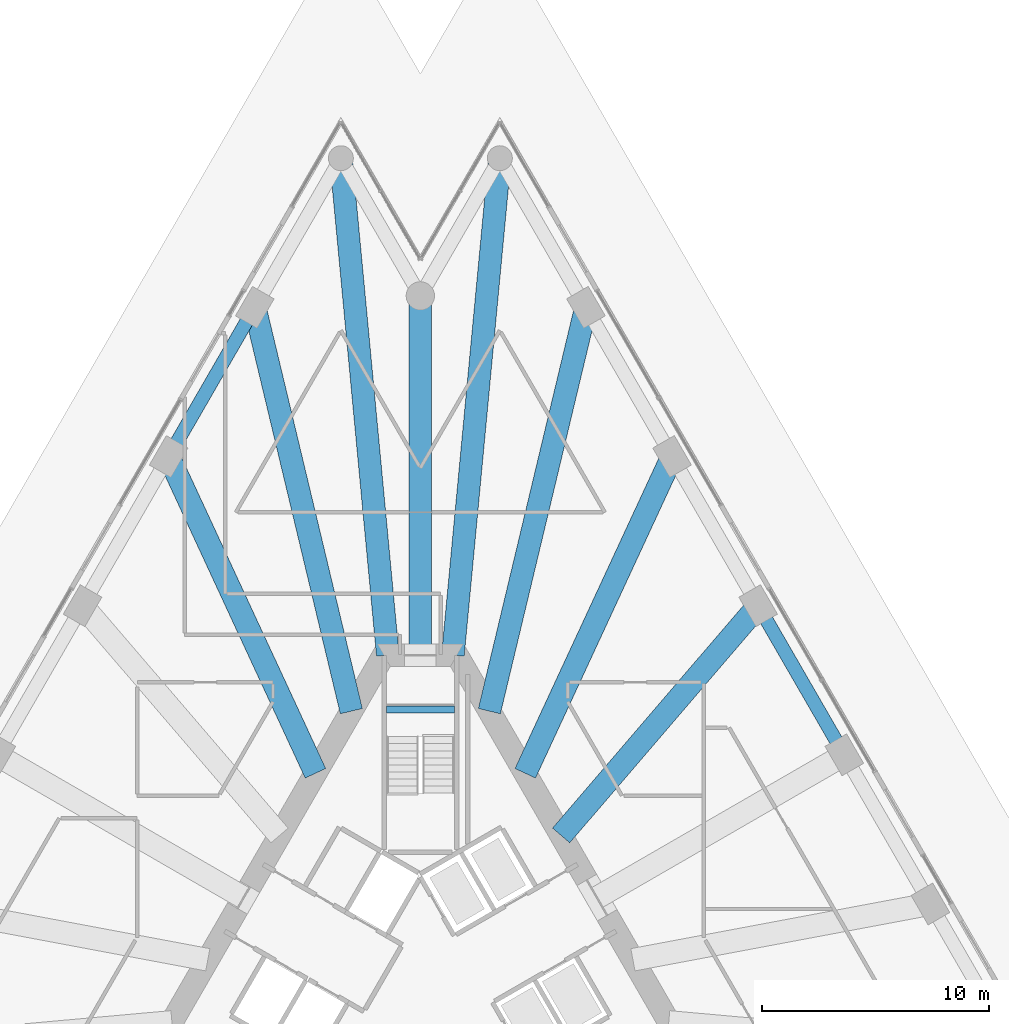
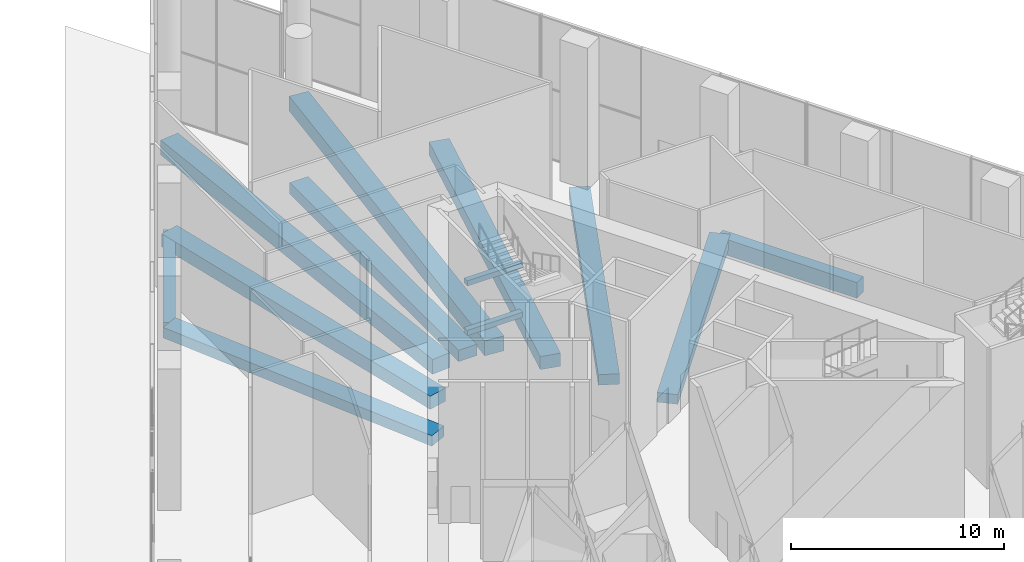
# One storey, part 13 of 41: 12 beams.
"""IFC4 building model written with IfcOpenShell, lengths in metres."""

import ifcopenshell
import ifcopenshell.guid

model = None  # the IFC model being written
_history = None  # IfcOwnerHistory: only IFC2X3 demands one
_inside = {}  # id of a spatial element -> (the spatial element, [elements in it])
_under = {}  # id of a project, library or spatial element -> (it, [spatial elements below it])
_declared = {}  # id of a project -> (the project, [libraries it declares])
_typed = {}  # id of a type object -> (the type object, [elements of that type])
_made_of = {}  # id of a material, layer set ... -> (it, [elements and type objects made of it])


def new_model(schema):
    """Start an empty IFC model of exactly this schema.

    Asked for "IFC4X3", IfcOpenShell would pick the latest addendum, in which some entities
    have other attributes; the version numbers below select the first issue.
    IFC2X3 requires an IfcOwnerHistory on every rooted entity: one is made here for all.
    """
    global model, _history
    if schema == "IFC4X3":
        model = ifcopenshell.file(schema_version=(4, 3, 0, 0))
    else:
        model = ifcopenshell.file(schema=schema)
    _inside.clear()
    _under.clear()
    _declared.clear()
    _typed.clear()
    _made_of.clear()
    _history = None
    if model.schema == "IFC2X3":
        org = make("IfcOrganization", Name="unknown")
        user = make(
            "IfcPersonAndOrganization",
            ThePerson=make("IfcPerson", FamilyName="unknown"),
            TheOrganization=org,
        )
        app = make(
            "IfcApplication",
            ApplicationDeveloper=org,
            Version="unknown",
            ApplicationFullName="unknown",
            ApplicationIdentifier="unknown",
        )
        _history = make(
            "IfcOwnerHistory",
            OwningUser=user,
            OwningApplication=app,
            ChangeAction="ADDED",
            CreationDate=0,
        )
    return model


def make(cls, **values):
    """One entity of the class cls with the attributes given. An attribute that is None is left unset."""
    return model.create_entity(
        cls, **{name: value for name, value in values.items() if value is not None}
    )


def rooted(cls, **values):
    """An entity with a GlobalId (a new one), such as an element, a storey or a relation."""
    return make(cls, GlobalId=ifcopenshell.guid.new(), OwnerHistory=_history, **values)


def si_unit(unit_type, name, prefix=None):
    """IfcSIUnit, for example si_unit("LENGTHUNIT", "METRE", prefix="MILLI")."""
    return make("IfcSIUnit", UnitType=unit_type, Prefix=prefix, Name=name)


def assignment(units):
    """IfcUnitAssignment: the units of a project."""
    return None if units is None else make("IfcUnitAssignment", Units=units)


def point(xyz):
    """IfcCartesianPoint."""
    return None if xyz is None else make("IfcCartesianPoint", Coordinates=xyz)


def direction(xyz):
    """IfcDirection."""
    return None if xyz is None else make("IfcDirection", DirectionRatios=xyz)


def frame(location, z_axis=None, x_axis=None):
    """IfcAxis2Placement3D, a coordinate frame: its origin and axes. An axis left out is left unset."""
    return make(
        "IfcAxis2Placement3D",
        Location=point(location),
        Axis=direction(z_axis),
        RefDirection=direction(x_axis),
    )


def frame_2d(location, x_axis=None):
    """IfcAxis2Placement2D, a coordinate frame in the plane: its origin and x axis."""
    return make(
        "IfcAxis2Placement2D", Location=point(location), RefDirection=direction(x_axis)
    )


def origin():
    """The frame at (0, 0, 0) with its axes left unset."""
    return frame((0.0, 0.0, 0.0))


def origin_2d():
    """The frame at (0, 0) in the plane with its x axis left unset."""
    return frame_2d((0.0, 0.0))


def place(relative_to, where):
    """IfcLocalPlacement: puts the frame where relative to a parent placement (None: the world)."""
    return make(
        "IfcLocalPlacement", PlacementRelTo=relative_to, RelativePlacement=where
    )


def context(
    kind, dimensions, precision=None, world=None, true_north=None, identifier=None
):
    """IfcGeometricRepresentationContext, for example the 3D "Model" context."""
    return make(
        "IfcGeometricRepresentationContext",
        ContextIdentifier=identifier,
        ContextType=kind,
        CoordinateSpaceDimension=dimensions,
        Precision=precision,
        WorldCoordinateSystem=world,
        TrueNorth=true_north,
    )


def subcontext(parent, identifier, kind, view, scale=None):
    """IfcGeometricRepresentationSubContext, for example "Body" below "Model"."""
    return make(
        "IfcGeometricRepresentationSubContext",
        ContextIdentifier=identifier,
        ContextType=kind,
        ParentContext=parent,
        TargetScale=scale,
        TargetView=view,
    )


def project(units=None, contexts=None):
    """IfcProject with its units and contexts."""
    return rooted(
        "IfcProject",
        Name="project",
        RepresentationContexts=contexts,
        UnitsInContext=assignment(units),
    )


def spatial(cls, under=None, at=None, **own):
    """A site, building, storey or space (cls), placed at a placement, below another one or the project."""
    s = rooted(cls, ObjectPlacement=at, **own)
    if under is not None:
        _under.setdefault(under.id(), (under, []))[1].append(s)
    return s


def profile(cls, at=None, kind="AREA", **sizes):
    """A parametric profile (cls). Its sizes go by their IFC names, for example OverallWidth=200.0."""
    return make(cls, ProfileType=kind, Position=at, **sizes)


def rectangle(**sizes):
    """IfcRectangleProfileDef."""
    return profile("IfcRectangleProfileDef", **sizes)


def extrude(swept, where, along, depth):
    """IfcExtrudedAreaSolid: the profile swept, set in the frame where, extruded along a direction by depth."""
    return make(
        "IfcExtrudedAreaSolid",
        SweptArea=swept,
        Position=where,
        ExtrudedDirection=direction(along),
        Depth=depth,
    )


def shape(context_of_items, identifier, shape_type, items):
    """IfcShapeRepresentation: the items that make up one representation, for example the "Body"."""
    return make(
        "IfcShapeRepresentation",
        ContextOfItems=context_of_items,
        RepresentationIdentifier=identifier,
        RepresentationType=shape_type,
        Items=items,
    )


def material(Name=None, Category=None):
    """IfcMaterial."""
    return make("IfcMaterial", Name=Name, Category=Category)


def material_profile(
    of_material, cross_section, Name=None, Category=None, Priority=None
):
    """IfcMaterialProfile: a cross section and its material."""
    return make(
        "IfcMaterialProfile",
        Name=Name,
        Material=of_material,
        Profile=cross_section,
        Priority=Priority,
        Category=Category,
    )


def profile_set(profiles, Name=None, composite=None):
    """IfcMaterialProfileSet."""
    return make(
        "IfcMaterialProfileSet",
        Name=Name,
        MaterialProfiles=profiles,
        CompositeProfile=composite,
    )


def made_of(thing, what):
    """Note that an element or type object is made of a material, layer set ...; save() writes the relation."""
    if what is not None:
        _made_of.setdefault(what.id(), (what, []))[1].append(thing)
    return thing


def type_object(cls, material=None, **own):
    """A type object (cls), such as IfcWallType, which elements share."""
    return made_of(rooted(cls, **own), material)


def element(
    cls,
    number,
    at=None,
    inside=None,
    cuts=None,
    type_object=None,
    material=None,
    context=None,
    identifier="Body",
    shape_type=None,
    held_by="IfcProductDefinitionShape",
    body=None,
    shapes=None,
    **own,
):
    """One element of the class cls, such as IfcWall. Its Tag is "e" and its number.

    at: its placement. inside: the storey or other place that contains it. cuts: it is an
    opening in that element (IfcRelVoidsElement). A single representation is given by context,
    identifier, shape_type and body (its items); several are given by shapes. held_by: the class
    of the entity that holds the representations. save() writes the other relations.
    """
    e = rooted(cls, Tag="e%d" % number, ObjectPlacement=at, **own)
    if body is not None:
        shapes = [shape(context, identifier, shape_type, body)]
    if shapes is not None:
        e.Representation = make(held_by, Representations=shapes)
    if inside is not None:
        _inside.setdefault(inside.id(), (inside, []))[1].append(e)
    if cuts is not None:
        rooted(
            "IfcRelVoidsElement", RelatingBuildingElement=cuts, RelatedOpeningElement=e
        )
    if type_object is not None:
        _typed.setdefault(type_object.id(), (type_object, []))[1].append(e)
    return made_of(e, material)


def aggregate(whole, parts):
    """IfcRelAggregates: a whole, such as a stair, and the parts it consists of."""
    return rooted("IfcRelAggregates", RelatingObject=whole, RelatedObjects=parts)


def save(model, path):
    """Write the relations noted so far, then the file.

    IfcRelAggregates (storeys below a building ...), IfcRelContainedInSpatialStructure (elements
    in a storey), IfcRelDefinesByType, IfcRelAssociatesMaterial and IfcRelDeclares: one each for
    every whole, place, type object, material and project.
    """
    for whole, parts in _under.values():
        aggregate(whole, parts)
    for where, things in _inside.values():
        rooted(
            "IfcRelContainedInSpatialStructure",
            RelatedElements=things,
            RelatingStructure=where,
        )
    for kind, things in _typed.values():
        rooted("IfcRelDefinesByType", RelatedObjects=things, RelatingType=kind)
    for what, things in _made_of.values():
        rooted("IfcRelAssociatesMaterial", RelatedObjects=things, RelatingMaterial=what)
    for by, libraries in _declared.values():
        rooted("IfcRelDeclares", RelatingContext=by, RelatedDefinitions=libraries)
    model.write(path)


model = new_model("IFC4")

# Units and contexts
model_context = context("Model", 3, precision=1e-05, world=origin(), true_north=direction((0.0, 1.0)))
body_context = subcontext(model_context, "Body", "Model", "MODEL_VIEW")
ifc_project = project(units=[si_unit("LENGTHUNIT", "METRE"), si_unit("AREAUNIT", "SQUARE_METRE"), si_unit("VOLUMEUNIT", "CUBIC_METRE"), si_unit("PLANEANGLEUNIT", "RADIAN"), si_unit("MASSUNIT", "GRAM", prefix="KILO")], contexts=[model_context])

# Site, building, storey
site_placement = place(None, origin())
site = spatial("IfcSite", under=ifc_project, at=site_placement, CompositionType="ELEMENT")
building_placement = place(site_placement, origin())
building = spatial("IfcBuilding", under=site, at=building_placement, Name="Triada Interchange Tower", CompositionType="ELEMENT")
storey_placement = place(building_placement, origin())
storey = spatial("IfcBuildingStorey", under=building, at=storey_placement, Name="L00", CompositionType="ELEMENT", Elevation=0.0)

# Beams
ifc_material_1 = material(Name="Concrete C35/45", Category="concrete")
ifc_material_profile_1 = material_profile(ifc_material_1, rectangle(XDim=0.300048828125, YDim=0.300048828125, at=origin_2d()), Name="RC 300x300")
ifc_profile_set_1 = profile_set([ifc_material_profile_1], Name="Concrete C35/45")
beam_type_1 = type_object("IfcBeamType", Name="Landing support beam RC 300x300", PredefinedType="BEAM", material=ifc_profile_set_1)
for number, where, z_axis, x_axis, name in (
    (1, (1.5, 12.800048828125, 2.4833984375), (-1.0, 0.0, 0.0), (0.0, -1.0, 0.0), "Landing support beam S00-1 1"),
    (2, (1.5, 12.800048828125, 5.31689453125), (-1.0, 0.0, 0.0), (0.0, -1.0, 0.0), "Landing support beam S00-1 2"),
):
    element("IfcBeam", number, at=place(storey_placement, frame(where, z_axis=z_axis, x_axis=x_axis)), inside=storey, type_object=beam_type_1, Name=name, PredefinedType="BEAM", context=body_context, shape_type="SweptSolid", body=[
        extrude(rectangle(XDim=0.300048828125, YDim=0.300048828125, at=origin_2d()), origin(), (0.0, 0.0, 1.0), 3.0),
    ])
ifc_material_2 = material(Name="Concrete C50/60", Category="concrete")
ifc_material_profile_2 = material_profile(ifc_material_2, rectangle(XDim=1.0, YDim=0.550048828125, at=origin_2d()), Name="RC 1000x550")
ifc_profile_set_2 = profile_set([ifc_material_profile_2], Name="Concrete C50/60")
beam_type_2 = type_object("IfcBeamType", Name="Radial band beam P RC 1000x550", PredefinedType="BEAM", material=ifc_profile_set_2)
beam_1_placement = place(storey_placement, frame((14.906005859375, 17.381103515625, -0.675048828125), z_axis=(-0.650979511823, -0.759095300464, 0.0), x_axis=(0.759095300464, -0.650979511823, 0.0)))
element("IfcBeam", 3, at=beam_1_placement, inside=storey, type_object=beam_type_2, Name="Radial band beam BP26 L00", PredefinedType="BEAM", context=body_context, shape_type="SweptSolid", body=[
    extrude(rectangle(XDim=1.0, YDim=0.550048828125, at=origin_2d()), origin(), (0.0, 0.0, 1.0), 13.35693359375),
])
ifc_material_profile_3 = material_profile(ifc_material_2, rectangle(XDim=1.0, YDim=0.60009765625, at=origin_2d()), Name="RC 1000x600")
ifc_profile_set_3 = profile_set([ifc_material_profile_3], Name="Concrete C50/60")
beam_type_3 = type_object("IfcBeamType", Name="Radial band beam P RC 1000x600", PredefinedType="BEAM", material=ifc_profile_set_3)
for number, where, z_axis, x_axis, name in (
    (4, (-11.10595703125, 23.9619140625, -0.699951171875), (0.420512879237, -0.90728656906, 0.0), (0.90728656906, 0.420512879237, 0.0), "Radial band beam BP03 L00"),
    (5, (11.10595703125, 23.9619140625, -0.699951171875), (-0.420512879237, -0.90728656906, 0.0), (0.90728656906, -0.420512879237, 0.0), "Radial band beam BP27 L00"),
):
    element("IfcBeam", number, at=place(storey_placement, frame(where, z_axis=z_axis, x_axis=x_axis)), inside=storey, type_object=beam_type_3, Name=name, PredefinedType="BEAM", context=body_context, shape_type="SweptSolid", body=[
        extrude(rectangle(XDim=1.0, YDim=0.60009765625, at=origin_2d()), origin(), (0.0, 0.0, 1.0), 15.405029296875),
    ])
ifc_material_profile_4 = material_profile(ifc_material_2, rectangle(XDim=1.0, YDim=0.64990234375, at=origin_2d()), Name="RC 1000x650")
ifc_profile_set_4 = profile_set([ifc_material_profile_4], Name="Concrete C50/60")
beam_type_4 = type_object("IfcBeamType", Name="Radial band beam P RC 1000x650", PredefinedType="BEAM", material=ifc_profile_set_4)
beam_2_placement = place(storey_placement, frame((0.0, 31.050048828125, -0.72509765625), z_axis=(0.0, -1.0, 0.0), x_axis=(1.0, 0.0, 0.0)))
element("IfcBeam", 6, at=beam_2_placement, inside=storey, type_object=beam_type_4, Name="Radial band beam BP30 L00", PredefinedType="BEAM", context=body_context, shape_type="SweptSolid", body=[
    extrude(rectangle(XDim=1.0, YDim=0.64990234375, at=origin_2d()), origin(), (0.0, 0.0, 1.0), 15.85009765625),
])
ifc_material_profile_5 = material_profile(ifc_material_2, rectangle(XDim=1.0, YDim=0.75, at=origin_2d()), Name="RC 1000x750")
ifc_profile_set_5 = profile_set([ifc_material_profile_5], Name="Concrete C50/60")
beam_type_5 = type_object("IfcBeamType", Name="Radial band beam P RC 1000x750", PredefinedType="BEAM", material=ifc_profile_set_5)
for number, where, z_axis, x_axis, name in (
    (7, (-7.306884765625, 30.5439453125, -0.77490234375), (0.232645559645, -0.972561588578, 0.0), (0.972561588578, 0.232645559645, 0.0), "Radial band beam BP02 L00"),
    (8, (7.306884765625, 30.5439453125, -0.77490234375), (-0.232645559645, -0.972561588578, 0.0), (0.972561588578, -0.232645559645, 0.0), "Radial band beam BP28 L00"),
):
    element("IfcBeam", number, at=place(storey_placement, frame(where, z_axis=z_axis, x_axis=x_axis)), inside=storey, type_object=beam_type_5, Name=name, PredefinedType="BEAM", context=body_context, shape_type="SweptSolid", body=[
        extrude(rectangle(XDim=1.0, YDim=0.75, at=origin_2d()), origin(), (0.0, 0.0, 1.0), 18.319580078125),
    ])
ifc_material_profile_6 = material_profile(ifc_material_2, rectangle(XDim=1.0, YDim=0.85009765625, at=origin_2d()), Name="RC 1000x850")
ifc_profile_set_6 = profile_set([ifc_material_profile_6], Name="Concrete C50/60")
beam_type_6 = type_object("IfcBeamType", Name="Radial band beam P RC 1000x850", PredefinedType="BEAM", material=ifc_profile_set_6)
for number, where, z_axis, x_axis, name in (
    (9, (-3.507080078125, 37.125, -0.824951171875), (0.094041597071, -0.99556826889, 0.0), (0.99556826889, 0.094041597071, 0.0), "Radial band beam BP01 L00"),
    (10, (3.507080078125, 37.125, -0.824951171875), (-0.094041597071, -0.99556826889, 0.0), (0.99556826889, -0.094041597071, 0.0), "Radial band beam BP29 L00"),
):
    element("IfcBeam", number, at=place(storey_placement, frame(where, z_axis=z_axis, x_axis=x_axis)), inside=storey, type_object=beam_type_6, Name=name, PredefinedType="BEAM", context=body_context, shape_type="SweptSolid", body=[
        extrude(rectangle(XDim=1.0, YDim=0.85009765625, at=origin_2d()), origin(), (0.0, 0.0, 1.0), 22.022705078125),
    ])
ifc_material_profile_7 = material_profile(ifc_material_2, rectangle(XDim=0.60009765625, YDim=0.89990234375, at=origin_2d()), Name="RC 600x900")
ifc_profile_set_7 = profile_set([ifc_material_profile_7], Name="Concrete C50/60")
beam_type_7 = type_object("IfcBeamType", Name="Spandrel beam P RC 600x900", PredefinedType="BEAM", material=ifc_profile_set_7)
beam_3_placement = place(storey_placement, frame((-7.306884765625, 30.5439453125, -0.85009765625), z_axis=(-0.499894869559, -0.866086092366, 0.0), x_axis=(0.866086092366, -0.499894869559, 0.0)))
element("IfcBeam", 11, at=beam_3_placement, inside=storey, type_object=beam_type_7, Name="Spandrel beam EP02 L00", PredefinedType="BEAM", context=body_context, shape_type="SweptSolid", body=[
    extrude(rectangle(XDim=0.60009765625, YDim=0.89990234375, at=origin_2d()), origin(), (0.0, 0.0, 1.0), 7.599853515625),
])
beam_4_placement = place(storey_placement, frame((18.7060546875, 10.800048828125, -0.85009765625), z_axis=(-0.500046891162, 0.865998329467, 0.0), x_axis=(-0.865998329467, -0.500046891162, 0.0)))
element("IfcBeam", 12, at=beam_4_placement, inside=storey, type_object=beam_type_7, Name="Spandrel beam EP25 L00", PredefinedType="BEAM", context=body_context, shape_type="SweptSolid", body=[
    extrude(rectangle(XDim=0.60009765625, YDim=0.89990234375, at=origin_2d()), origin(), (0.0, 0.0, 1.0), 7.599365234375),
])

save(model, "model.ifc")
